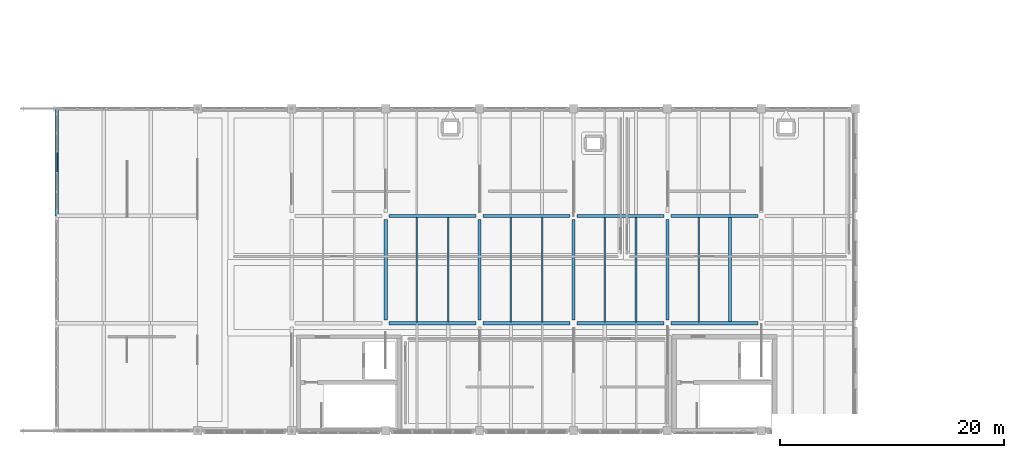
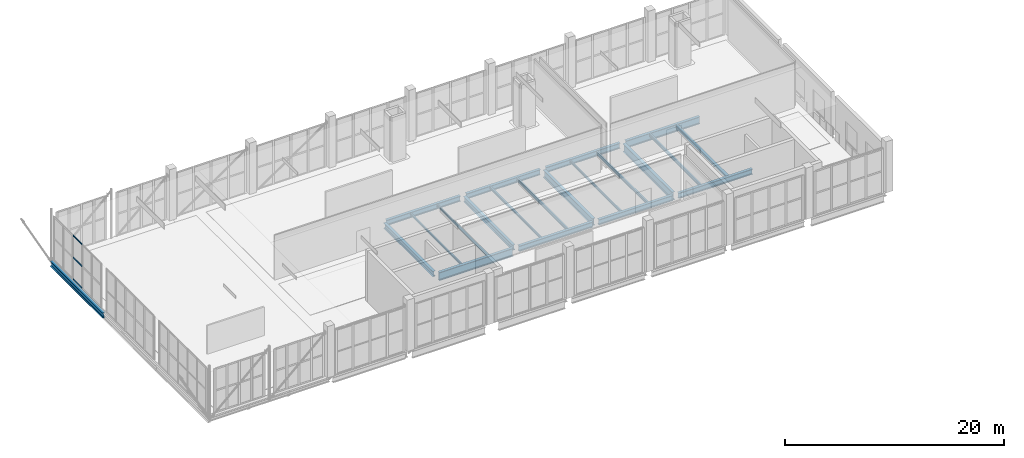
# One storey, part 10 of 49: 21 beams, 3 members, 1 element without a shape of its own.
"""IFC4 building model written with IfcOpenShell, lengths in metres."""

from ifc_helpers import new_model, si_unit, direction, frame, origin, origin_2d, place, context, subcontext, project, spatial, hollow_rectangle, i_section, extrude, material, layer, layer_set, material_profile, profile_set, type_object, element, aggregate, save


model = new_model("IFC4")

# Units and contexts
model_context = context("Model", 3, precision=1e-05, world=origin(), true_north=direction((0.0, 1.0)))
body_context = subcontext(model_context, "Body", "Model", "MODEL_VIEW")
ifc_project = project(units=[si_unit("LENGTHUNIT", "METRE"), si_unit("AREAUNIT", "SQUARE_METRE"), si_unit("VOLUMEUNIT", "CUBIC_METRE"), si_unit("PLANEANGLEUNIT", "RADIAN"), si_unit("MASSUNIT", "GRAM", prefix="KILO")], contexts=[model_context])

# Site, building, storey
site_placement = place(None, origin())
site = spatial("IfcSite", under=ifc_project, at=site_placement, CompositionType="ELEMENT")
building_placement = place(site_placement, origin())
building = spatial("IfcBuilding", under=site, at=building_placement, Name="Zulmaris Art Gallery", CompositionType="ELEMENT")
storey_placement = place(building_placement, frame((0.0, 0.0, 20.699951171875)))
storey = spatial("IfcBuildingStorey", under=building, at=storey_placement, Name="L04", CompositionType="ELEMENT", Elevation=20.699951171875)

# Beams
ifc_material_1 = material(Name="Steel S355J2", Category="steel")
ifc_material_profile_1 = material_profile(ifc_material_1, i_section(OverallWidth=0.300048828125, OverallDepth=0.590087890625, WebThickness=0.012939453125, FlangeThickness=0.02490234375, FilletRadius=0.027099609375, at=origin_2d()), Name="HEA 600")
ifc_profile_set_1 = profile_set([ifc_material_profile_1], Name="Steel S355J2")
beam_type_1 = type_object("IfcBeamType", Name="BEAM-BM12", PredefinedType="BEAM", material=ifc_profile_set_1)
for number, where, z_axis, x_axis, name in (
    (1, (57.909912109375, 31.199951171875, -0.655029296875), (1.0, 0.0, 0.0), (0.0, 1.0, 0.0), "L04 X-girder (57.6..66.0, y=31.2)"),
    (2, (66.31005859375, 31.199951171875, -0.655029296875), (1.0, 0.0, 0.0), (0.0, 1.0, 0.0), "L04 X-girder (66.0..74.4, y=31.2)"),
    (3, (49.510009765625, 40.800048828125, -0.655029296875), (1.0, 0.0, 0.0), (0.0, 1.0, 0.0), "L04 X-girder (49.2..57.6, y=40.8)"),
    (4, (57.909912109375, 40.800048828125, -0.655029296875), (1.0, 0.0, 0.0), (0.0, 1.0, 0.0), "L04 X-girder (57.6..66.0, y=40.8)"),
):
    element("IfcBeam", number, at=place(storey_placement, frame(where, z_axis=z_axis, x_axis=x_axis)), inside=storey, type_object=beam_type_1, Name=name, PredefinedType="BEAM", context=body_context, shape_type="SweptSolid", body=[
        extrude(i_section(OverallWidth=0.300048828125, OverallDepth=0.590087890625, WebThickness=0.012939453125, FlangeThickness=0.02490234375, FilletRadius=0.027099609375, at=origin_2d()), origin(), (0.0, 0.0, 1.0), 7.780029296875),
    ])
for number, where, z_axis, x_axis, name in (
    (5, (40.800048828125, 31.510009765625, -0.655029296875), (0.0, 1.0, 0.0), (-1.0, 0.0, 0.0), "L04 Y-girder (x=40.8, 31.2..40.8)"),
    (6, (49.199951171875, 31.510009765625, -0.655029296875), (0.0, 1.0, 0.0), (-1.0, 0.0, 0.0), "L04 Y-girder (x=49.2, 31.2..40.8)"),
):
    element("IfcBeam", number, at=place(storey_placement, frame(where, z_axis=z_axis, x_axis=x_axis)), inside=storey, type_object=beam_type_1, Name=name, PredefinedType="BEAM", context=body_context, shape_type="SweptSolid", body=[
        extrude(i_section(OverallWidth=0.300048828125, OverallDepth=0.590087890625, WebThickness=0.012939453125, FlangeThickness=0.02490234375, FilletRadius=0.027099609375, at=origin_2d()), origin(), (0.0, 0.0, 1.0), 8.97998046875),
    ])
beam_1_placement = place(storey_placement, frame((11.39990234375, 40.800048828125, -0.614990234375), z_axis=(0.0, 1.0, 0.0), x_axis=(-1.0, 0.0, 0.0)))
element("IfcBeam", 7, at=beam_1_placement, inside=storey, type_object=beam_type_1, Name="L04 cantilever transverse girder at x=11.4", PredefinedType="BEAM", context=body_context, shape_type="SweptSolid", body=[
    extrude(i_section(OverallWidth=0.300048828125, OverallDepth=0.590087890625, WebThickness=0.012939453125, FlangeThickness=0.02490234375, FilletRadius=0.027099609375, at=origin_2d()), origin(), (0.0, 0.0, 1.0), 9.599853515625),
])
ifc_material_profile_2 = material_profile(ifc_material_1, i_section(OverallWidth=0.300048828125, OverallDepth=0.60009765625, WebThickness=0.015380859375, FlangeThickness=0.030029296875, FilletRadius=0.027099609375, at=origin_2d()), Name="HEB 600")
ifc_profile_set_2 = profile_set([ifc_material_profile_2], Name="Steel S355J2")
beam_type_2 = type_object("IfcBeamType", Name="BEAM-BM15", PredefinedType="BEAM", material=ifc_profile_set_2)
beam_2_placement = place(storey_placement, frame((49.510009765625, 31.199951171875, -0.659912109375), z_axis=(1.0, 0.0, 0.0), x_axis=(0.0, 1.0, 0.0)))
element("IfcBeam", 8, at=beam_2_placement, inside=storey, type_object=beam_type_2, Name="L04 X-girder (49.2..57.6, y=31.2)", PredefinedType="BEAM", context=body_context, shape_type="SweptSolid", body=[
    extrude(i_section(OverallWidth=0.300048828125, OverallDepth=0.60009765625, WebThickness=0.015380859375, FlangeThickness=0.030029296875, FilletRadius=0.027099609375, at=origin_2d()), origin(), (0.0, 0.0, 1.0), 7.780029296875),
])
beam_3_placement = place(storey_placement, frame((41.110107421875, 40.800048828125, -0.659912109375), z_axis=(1.0, 0.0, 0.0), x_axis=(0.0, 1.0, 0.0)))
element("IfcBeam", 9, at=beam_3_placement, inside=storey, type_object=beam_type_2, Name="L04 X-girder (40.8..49.2, y=40.8)", PredefinedType="BEAM", context=body_context, shape_type="SweptSolid", body=[
    extrude(i_section(OverallWidth=0.300048828125, OverallDepth=0.60009765625, WebThickness=0.015380859375, FlangeThickness=0.030029296875, FilletRadius=0.027099609375, at=origin_2d()), origin(), (0.0, 0.0, 1.0), 7.77978515625),
])
ifc_material_profile_3 = material_profile(ifc_material_1, i_section(OverallWidth=0.300048828125, OverallDepth=0.800048828125, WebThickness=0.017578125, FlangeThickness=0.032958984375, FilletRadius=0.030029296875, at=origin_2d()), Name="HEB 800")
ifc_profile_set_3 = profile_set([ifc_material_profile_3], Name="Steel S355J2")
beam_type_3 = type_object("IfcBeamType", Name="BEAM-BM17", PredefinedType="BEAM", material=ifc_profile_set_3)
beam_4_placement = place(storey_placement, frame((66.31005859375, 40.800048828125, -0.760009765625), z_axis=(1.0, 0.0, 0.0), x_axis=(0.0, 1.0, 0.0)))
element("IfcBeam", 10, at=beam_4_placement, inside=storey, type_object=beam_type_3, Name="L04 X-girder (66.0..74.4, y=40.8)", PredefinedType="BEAM", context=body_context, shape_type="SweptSolid", body=[
    extrude(i_section(OverallWidth=0.300048828125, OverallDepth=0.800048828125, WebThickness=0.017578125, FlangeThickness=0.032958984375, FilletRadius=0.030029296875, at=origin_2d()), origin(), (0.0, 0.0, 1.0), 7.780029296875),
])
beam_5_placement = place(storey_placement, frame((57.60009765625, 31.510009765625, -0.760009765625), z_axis=(0.0, 1.0, 0.0), x_axis=(-1.0, 0.0, 0.0)))
element("IfcBeam", 11, at=beam_5_placement, inside=storey, type_object=beam_type_3, Name="L04 Y-girder (x=57.6, 31.2..40.8)", PredefinedType="BEAM", context=body_context, shape_type="SweptSolid", body=[
    extrude(i_section(OverallWidth=0.300048828125, OverallDepth=0.800048828125, WebThickness=0.017578125, FlangeThickness=0.032958984375, FilletRadius=0.030029296875, at=origin_2d()), origin(), (0.0, 0.0, 1.0), 8.97998046875),
])
ifc_material_profile_4 = material_profile(ifc_material_1, i_section(OverallWidth=0.300048828125, OverallDepth=0.89990234375, WebThickness=0.0185546875, FlangeThickness=0.034912109375, FilletRadius=0.030029296875, at=origin_2d()), Name="HEB 900")
ifc_profile_set_4 = profile_set([ifc_material_profile_4], Name="Steel S355J2")
beam_type_4 = type_object("IfcBeamType", Name="BEAM-BM18", PredefinedType="BEAM", material=ifc_profile_set_4)
beam_6_placement = place(storey_placement, frame((41.110107421875, 31.199951171875, -0.81005859375), z_axis=(1.0, 0.0, 0.0), x_axis=(0.0, 1.0, 0.0)))
element("IfcBeam", 12, at=beam_6_placement, inside=storey, type_object=beam_type_4, Name="L04 X-girder (40.8..49.2, y=31.2)", PredefinedType="BEAM", context=body_context, shape_type="SweptSolid", body=[
    extrude(i_section(OverallWidth=0.300048828125, OverallDepth=0.89990234375, WebThickness=0.0185546875, FlangeThickness=0.034912109375, FilletRadius=0.030029296875, at=origin_2d()), origin(), (0.0, 0.0, 1.0), 7.77978515625),
])
beam_7_placement = place(storey_placement, frame((66.0, 31.510009765625, -0.81005859375), z_axis=(0.0, 1.0, 0.0), x_axis=(-1.0, 0.0, 0.0)))
element("IfcBeam", 13, at=beam_7_placement, inside=storey, type_object=beam_type_4, Name="L04 Y-girder (x=66.0, 31.2..40.8)", PredefinedType="BEAM", context=body_context, shape_type="SweptSolid", body=[
    extrude(i_section(OverallWidth=0.300048828125, OverallDepth=0.89990234375, WebThickness=0.0185546875, FlangeThickness=0.034912109375, FilletRadius=0.030029296875, at=origin_2d()), origin(), (0.0, 0.0, 1.0), 8.97998046875),
])
ifc_material_profile_5 = material_profile(ifc_material_1, i_section(OverallWidth=0.1201171875, OverallDepth=0.239990234375, WebThickness=0.006103515625, FlangeThickness=0.009765625, FilletRadius=0.014892578125, at=origin_2d()), Name="IPE 240")
ifc_profile_set_5 = profile_set([ifc_material_profile_5], Name="Steel S355J2")
beam_type_5 = type_object("IfcBeamType", Name="BEAM-JS01", PredefinedType="JOIST", material=ifc_profile_set_5)
beam_8_placement = place(storey_placement, frame((43.60009765625, 31.324951171875, -0.47998046875), z_axis=(0.0, 1.0, 0.0), x_axis=(-1.0, 0.0, 0.0)))
element("IfcBeam", 14, at=beam_8_placement, inside=storey, type_object=beam_type_5, Name="L04 secondary joist at x=43.6", PredefinedType="JOIST", context=body_context, shape_type="SweptSolid", body=[
    extrude(i_section(OverallWidth=0.1201171875, OverallDepth=0.239990234375, WebThickness=0.006103515625, FlangeThickness=0.009765625, FilletRadius=0.014892578125, at=origin_2d()), origin(), (0.0, 0.0, 1.0), 9.35009765625),
])
ifc_material_profile_6 = material_profile(ifc_material_1, i_section(OverallWidth=0.135009765625, OverallDepth=0.27001953125, WebThickness=0.006591796875, FlangeThickness=0.01025390625, FilletRadius=0.014892578125, at=origin_2d()), Name="IPE 270")
ifc_profile_set_6 = profile_set([ifc_material_profile_6], Name="Steel S355J2")
beam_type_6 = type_object("IfcBeamType", Name="BEAM-JS02", PredefinedType="JOIST", material=ifc_profile_set_6)
for number, where, z_axis, x_axis, name in (
    (15, (46.39990234375, 31.324951171875, -0.494873046875), (0.0, 1.0, 0.0), (-1.0, 0.0, 0.0), "L04 secondary joist at x=46.4"),
    (16, (52.0, 31.324951171875, -0.494873046875), (0.0, 1.0, 0.0), (-1.0, 0.0, 0.0), "L04 secondary joist at x=52.0"),
    (17, (60.39990234375, 31.324951171875, -0.494873046875), (0.0, 1.0, 0.0), (-1.0, 0.0, 0.0), "L04 secondary joist at x=60.4"),
):
    element("IfcBeam", number, at=place(storey_placement, frame(where, z_axis=z_axis, x_axis=x_axis)), inside=storey, type_object=beam_type_6, Name=name, PredefinedType="JOIST", context=body_context, shape_type="SweptSolid", body=[
        extrude(i_section(OverallWidth=0.135009765625, OverallDepth=0.27001953125, WebThickness=0.006591796875, FlangeThickness=0.01025390625, FilletRadius=0.014892578125, at=origin_2d()), origin(), (0.0, 0.0, 1.0), 9.35009765625),
    ])
ifc_material_profile_7 = material_profile(ifc_material_1, i_section(OverallWidth=0.159912109375, OverallDepth=0.330078125, WebThickness=0.007568359375, FlangeThickness=0.011474609375, FilletRadius=0.01806640625, at=origin_2d()), Name="IPE 330")
ifc_profile_set_7 = profile_set([ifc_material_profile_7], Name="Steel S355J2")
beam_type_7 = type_object("IfcBeamType", Name="BEAM-JS03", PredefinedType="JOIST", material=ifc_profile_set_7)
for number, where, z_axis, x_axis, name in (
    (18, (54.800048828125, 31.324951171875, -0.52490234375), (0.0, 1.0, 0.0), (-1.0, 0.0, 0.0), "L04 secondary joist at x=54.8"),
    (19, (63.199951171875, 31.324951171875, -0.52490234375), (0.0, 1.0, 0.0), (-1.0, 0.0, 0.0), "L04 secondary joist at x=63.2"),
    (20, (68.800048828125, 31.324951171875, -0.52490234375), (0.0, 1.0, 0.0), (-1.0, 0.0, 0.0), "L04 secondary joist at x=68.8"),
):
    element("IfcBeam", number, at=place(storey_placement, frame(where, z_axis=z_axis, x_axis=x_axis)), inside=storey, type_object=beam_type_7, Name=name, PredefinedType="JOIST", context=body_context, shape_type="SweptSolid", body=[
        extrude(i_section(OverallWidth=0.159912109375, OverallDepth=0.330078125, WebThickness=0.007568359375, FlangeThickness=0.011474609375, FilletRadius=0.01806640625, at=origin_2d()), origin(), (0.0, 0.0, 1.0), 9.35009765625),
    ])
ifc_material_profile_8 = material_profile(ifc_material_1, i_section(OverallWidth=0.280029296875, OverallDepth=0.27001953125, WebThickness=0.008056640625, FlangeThickness=0.012939453125, FilletRadius=0.02392578125, at=origin_2d()), Name="HEA 280")
ifc_profile_set_8 = profile_set([ifc_material_profile_8], Name="Steel S355J2")
beam_type_8 = type_object("IfcBeamType", Name="BEAM-JS04", PredefinedType="JOIST", material=ifc_profile_set_8)
beam_9_placement = place(storey_placement, frame((71.60009765625, 31.324951171875, -0.494873046875), z_axis=(0.0, 1.0, 0.0), x_axis=(-1.0, 0.0, 0.0)))
element("IfcBeam", 21, at=beam_9_placement, inside=storey, type_object=beam_type_8, Name="L04 secondary joist at x=71.6", PredefinedType="JOIST", context=body_context, shape_type="SweptSolid", body=[
    extrude(i_section(OverallWidth=0.280029296875, OverallDepth=0.27001953125, WebThickness=0.008056640625, FlangeThickness=0.012939453125, FilletRadius=0.02392578125, at=origin_2d()), origin(), (0.0, 0.0, 1.0), 9.35009765625),
])

# Curtain wall, members
ifc_material_2 = material(Name="Belvedere Horizon Glazed Curtain Wall", Category="aluminium")
ifc_layer = layer(ifc_material_2, 0.179931640625)
ifc_layer_set = layer_set([ifc_layer], Name="Belvedere Horizon Glazed Curtain Wall")
curtain_wall_type = type_object("IfcCurtainWallType", Name="CW-CW02", PredefinedType="NOTDEFINED", material=ifc_layer_set)
curtain_wall_placement = place(storey_placement, origin())
curtain_wall = element("IfcCurtainWall", 22, at=curtain_wall_placement, inside=storey, type_object=curtain_wall_type, Name="L04 curtain wall 37", PredefinedType="NOTDEFINED")
ifc_material_3 = material(Name="Anodised Bronze Aluminium", Category="aluminium")
ifc_material_profile_9 = material_profile(ifc_material_3, hollow_rectangle(XDim=0.074951171875, YDim=0.159912109375, WallThickness=0.00390625, InnerFilletRadius=0.006103515625, OuterFilletRadius=0.010009765625, at=origin_2d()), Name="ALU 75x160x4")
ifc_profile_set_9 = profile_set([ifc_material_profile_9], Name="Anodised Bronze Aluminium")
member_type = type_object("IfcMemberType", Name="CWTRN-02", PredefinedType="USERDEFINED", material=ifc_profile_set_9)
member_1_placement = place(storey_placement, frame((11.39990234375, 44.767578125, 0.03759765625), z_axis=(0.0, 1.0, 0.0), x_axis=(-1.0, 0.0, 0.0)))
member_1 = element("IfcMember", 23, at=member_1_placement, type_object=member_type, Name="CW02 transom 3.1", ObjectType="TRANSOM", PredefinedType="USERDEFINED", context=body_context, shape_type="SweptSolid", body=[
    extrude(hollow_rectangle(XDim=0.074951171875, YDim=0.159912109375, WallThickness=0.00390625, InnerFilletRadius=0.006103515625, OuterFilletRadius=0.010009765625, at=origin_2d()), origin(), (0.0, 0.0, 1.0), 1.6650390625),
])
member_2_placement = place(storey_placement, frame((11.39990234375, 44.767578125, 2.449951171875), z_axis=(0.0, 1.0, 0.0), x_axis=(-1.0, 0.0, 0.0)))
member_2 = element("IfcMember", 24, at=member_2_placement, type_object=member_type, Name="CW02 transom 3.2", ObjectType="TRANSOM", PredefinedType="USERDEFINED", context=body_context, shape_type="SweptSolid", body=[
    extrude(hollow_rectangle(XDim=0.074951171875, YDim=0.159912109375, WallThickness=0.00390625, InnerFilletRadius=0.006103515625, OuterFilletRadius=0.010009765625, at=origin_2d()), origin(), (0.0, 0.0, 1.0), 1.6650390625),
])
member_3_placement = place(storey_placement, frame((11.39990234375, 44.767578125, 4.862548828125), z_axis=(0.0, 1.0, 0.0), x_axis=(-1.0, 0.0, 0.0)))
member_3 = element("IfcMember", 25, at=member_3_placement, type_object=member_type, Name="CW02 transom 3.3", ObjectType="TRANSOM", PredefinedType="USERDEFINED", context=body_context, shape_type="SweptSolid", body=[
    extrude(hollow_rectangle(XDim=0.074951171875, YDim=0.159912109375, WallThickness=0.00390625, InnerFilletRadius=0.006103515625, OuterFilletRadius=0.010009765625, at=origin_2d()), origin(), (0.0, 0.0, 1.0), 1.6650390625),
])
aggregate(curtain_wall, [member_1, member_2, member_3])

save(model, "model.ifc")
